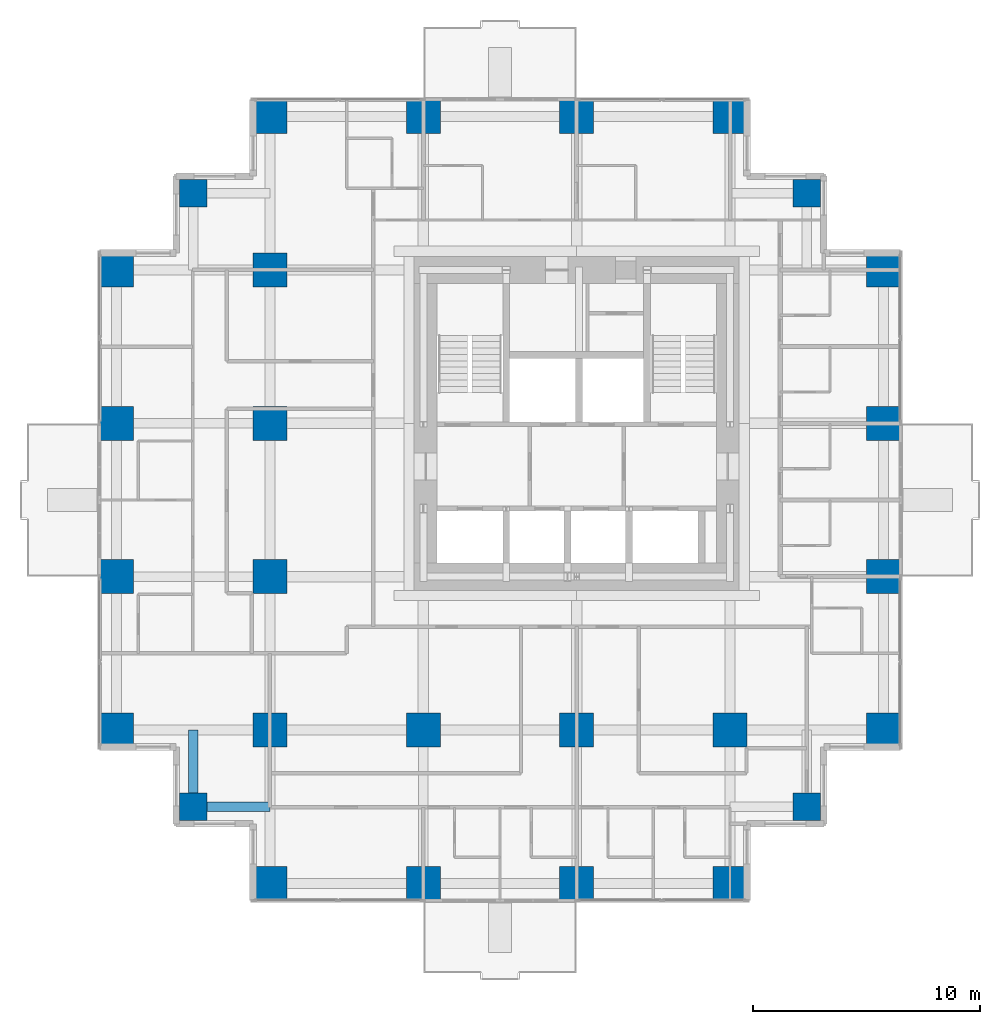
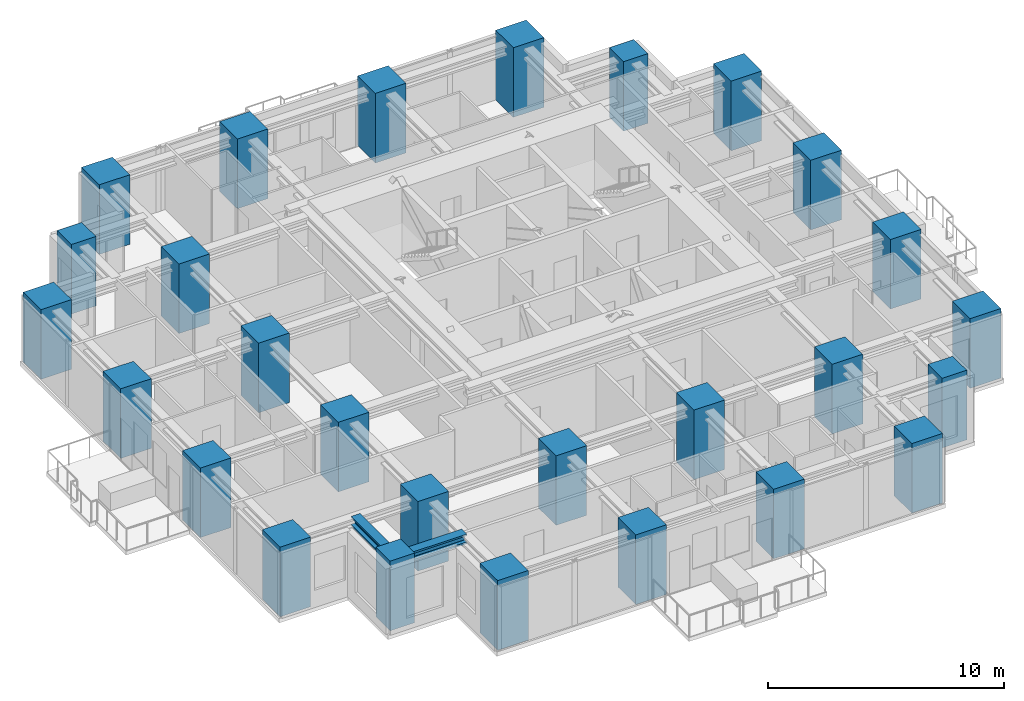
# One storey, part 1 of 10: 27 columns, 2 beams.
"""IFC4 building model written with IfcOpenShell, lengths in metres."""

from ifc_helpers import new_model, si_unit, direction, frame, origin, origin_2d, place, context, subcontext, project, spatial, rectangle, i_section, extrude, material, material_profile, profile_set, type_object, element, save


model = new_model("IFC4")

# Units and contexts
model_context = context("Model", 3, precision=1e-05, world=origin(), true_north=direction((0.0, 1.0)))
body_context = subcontext(model_context, "Body", "Model", "MODEL_VIEW")
ifc_project = project(units=[si_unit("LENGTHUNIT", "METRE"), si_unit("AREAUNIT", "SQUARE_METRE"), si_unit("VOLUMEUNIT", "CUBIC_METRE"), si_unit("PLANEANGLEUNIT", "RADIAN"), si_unit("MASSUNIT", "GRAM", prefix="KILO")], contexts=[model_context])

# Site, building, storey
site_placement = place(None, origin())
site = spatial("IfcSite", under=ifc_project, at=site_placement, CompositionType="ELEMENT")
building_placement = place(site_placement, origin())
building = spatial("IfcBuilding", under=site, at=building_placement, Name="Nyansa Garden Tower", CompositionType="ELEMENT")
storey_placement = place(building_placement, frame((0.0, 0.0, 163.800048828125)))
storey = spatial("IfcBuildingStorey", under=building, at=storey_placement, Name="L44", CompositionType="ELEMENT", Elevation=163.800048828125)

# Columns
ifc_material_1 = material(Name="Concrete C70/85", Category="concrete")
ifc_material_profile_1 = material_profile(ifc_material_1, rectangle(XDim=1.199951171875, YDim=1.199951171875, at=origin_2d()), Name="RC 1200x1200")
ifc_profile_set_1 = profile_set([ifc_material_profile_1], Name="Concrete C70/85")
column_type_1 = type_object("IfcColumnType", Name="Column C120 RC 1200x1200", PredefinedType="COLUMN", material=ifc_profile_set_1)
for number, where, z_axis, x_axis, name in (
    (1, (3.375, 3.375, 0.0), (0.0, 0.0, 1.0), (1.0, 0.0, 0.0), "Column x3.375/y3.375 L44"),
    (2, (3.375, 30.375, 0.0), (0.0, 0.0, 1.0), (1.0, 0.0, 0.0), "Column x3.375/y30.375 L44"),
    (3, (30.375, 3.375, 0.0), (0.0, 0.0, 1.0), (1.0, 0.0, 0.0), "Column x30.375/y3.375 L44"),
    (4, (30.375, 30.375, 0.0), (0.0, 0.0, 1.0), (1.0, 0.0, 0.0), "Column x30.375/y30.375 L44"),
):
    element("IfcColumn", number, at=place(storey_placement, frame(where, z_axis=z_axis, x_axis=x_axis)), inside=storey, type_object=column_type_1, Name=name, PredefinedType="COLUMN", context=body_context, shape_type="SweptSolid", body=[
        extrude(rectangle(XDim=1.199951171875, YDim=1.199951171875, at=origin_2d()), origin(), (0.0, 0.0, 1.0), 3.599853515625),
    ])
ifc_material_2 = material(Name="Concrete C80/95", Category="concrete")
ifc_material_profile_2 = material_profile(ifc_material_2, rectangle(XDim=1.5, YDim=1.5, at=origin_2d()), Name="RC 1500x1500")
ifc_profile_set_2 = profile_set([ifc_material_profile_2], Name="Concrete C80/95")
column_type_2 = type_object("IfcColumnType", Name="Column C150 RC 1500x1500", PredefinedType="COLUMN", material=ifc_profile_set_2)
for number, where, z_axis, x_axis, name in (
    (5, (0.0, 6.75, 0.0), (0.0, 0.0, 1.0), (1.0, 0.0, 0.0), "Column 2/E L44"),
    (6, (0.0, 13.5, 0.0), (0.0, 0.0, 1.0), (1.0, 0.0, 0.0), "Column 2/F L44"),
    (7, (0.0, 20.25, 0.0), (0.0, 0.0, 1.0), (1.0, 0.0, 0.0), "Column 2/G L44"),
    (8, (0.0, 27.0, 0.0), (0.0, 0.0, 1.0), (1.0, 0.0, 0.0), "Column 2/H L44"),
    (9, (6.75, 0.0, 0.0), (0.0, 0.0, 1.0), (1.0, 0.0, 0.0), "Column 3/D L44"),
    (10, (6.75, 6.75, 0.0), (0.0, 0.0, 1.0), (1.0, 0.0, 0.0), "Column 3/E L44"),
    (11, (6.75, 13.5, 0.0), (0.0, 0.0, 1.0), (1.0, 0.0, 0.0), "Column 3/F L44"),
    (12, (6.75, 20.25, 0.0), (0.0, 0.0, 1.0), (1.0, 0.0, 0.0), "Column 3/G L44"),
    (13, (6.75, 27.0, 0.0), (0.0, 0.0, 1.0), (1.0, 0.0, 0.0), "Column 3/H L44"),
    (14, (6.75, 33.75, 0.0), (0.0, 0.0, 1.0), (1.0, 0.0, 0.0), "Column 3/J L44"),
    (15, (13.5, 0.0, 0.0), (0.0, 0.0, 1.0), (1.0, 0.0, 0.0), "Column 4/D L44"),
    (16, (13.5, 6.75, 0.0), (0.0, 0.0, 1.0), (1.0, 0.0, 0.0), "Column 4/E L44"),
    (17, (13.5, 33.75, 0.0), (0.0, 0.0, 1.0), (1.0, 0.0, 0.0), "Column 4/J L44"),
    (18, (20.25, 0.0, 0.0), (0.0, 0.0, 1.0), (1.0, 0.0, 0.0), "Column 5/D L44"),
    (19, (20.25, 6.75, 0.0), (0.0, 0.0, 1.0), (1.0, 0.0, 0.0), "Column 5/E L44"),
    (20, (20.25, 33.75, 0.0), (0.0, 0.0, 1.0), (1.0, 0.0, 0.0), "Column 5/J L44"),
    (21, (27.0, 0.0, 0.0), (0.0, 0.0, 1.0), (1.0, 0.0, 0.0), "Column 6/D L44"),
    (22, (27.0, 6.75, 0.0), (0.0, 0.0, 1.0), (1.0, 0.0, 0.0), "Column 6/E L44"),
    (23, (27.0, 33.75, 0.0), (0.0, 0.0, 1.0), (1.0, 0.0, 0.0), "Column 6/J L44"),
    (24, (33.75, 6.75, 0.0), (0.0, 0.0, 1.0), (1.0, 0.0, 0.0), "Column 7/E L44"),
    (25, (33.75, 13.5, 0.0), (0.0, 0.0, 1.0), (1.0, 0.0, 0.0), "Column 7/F L44"),
    (26, (33.75, 20.25, 0.0), (0.0, 0.0, 1.0), (1.0, 0.0, 0.0), "Column 7/G L44"),
    (27, (33.75, 27.0, 0.0), (0.0, 0.0, 1.0), (1.0, 0.0, 0.0), "Column 7/H L44"),
):
    element("IfcColumn", number, at=place(storey_placement, frame(where, z_axis=z_axis, x_axis=x_axis)), inside=storey, type_object=column_type_2, Name=name, PredefinedType="COLUMN", context=body_context, shape_type="SweptSolid", body=[
        extrude(rectangle(XDim=1.5, YDim=1.5, at=origin_2d()), origin(), (0.0, 0.0, 1.0), 3.599853515625),
    ])

# Beams
ifc_material_3 = material(Name="Steel S355", Category="steel")
ifc_material_profile_3 = material_profile(ifc_material_3, i_section(OverallWidth=0.431884765625, OverallDepth=0.498046875, WebThickness=0.0556640625, FlangeThickness=0.0888671875, FilletRadius=0.014892578125, at=origin_2d()), Name="HD 400x744")
ifc_profile_set_3 = profile_set([ifc_material_profile_3], Name="Steel S355")
beam_type = type_object("IfcBeamType", Name="Steel beam SSB1-744 HD 400x744", PredefinedType="BEAM", material=ifc_profile_set_3)
for number, where, z_axis, x_axis, name in (
    (28, (3.375, 3.375, 3.1259765625), (0.0, 1.0, 0.0), (-1.0, 0.0, 0.0), "Steel step beam 3.375/3.375 L45"),
    (29, (3.375, 3.375, 3.1259765625), (1.0, 0.0, 0.0), (0.0, 1.0, 0.0), "Steel step beam 3.375/3.375 L45"),
):
    element("IfcBeam", number, at=place(storey_placement, frame(where, z_axis=z_axis, x_axis=x_axis)), inside=storey, type_object=beam_type, Name=name, PredefinedType="BEAM", context=body_context, shape_type="SweptSolid", body=[
        extrude(i_section(OverallWidth=0.431884765625, OverallDepth=0.498046875, WebThickness=0.0556640625, FlangeThickness=0.0888671875, FilletRadius=0.014892578125, at=origin_2d()), origin(), (0.0, 0.0, 1.0), 3.375),
    ])

save(model, "model.ifc")
